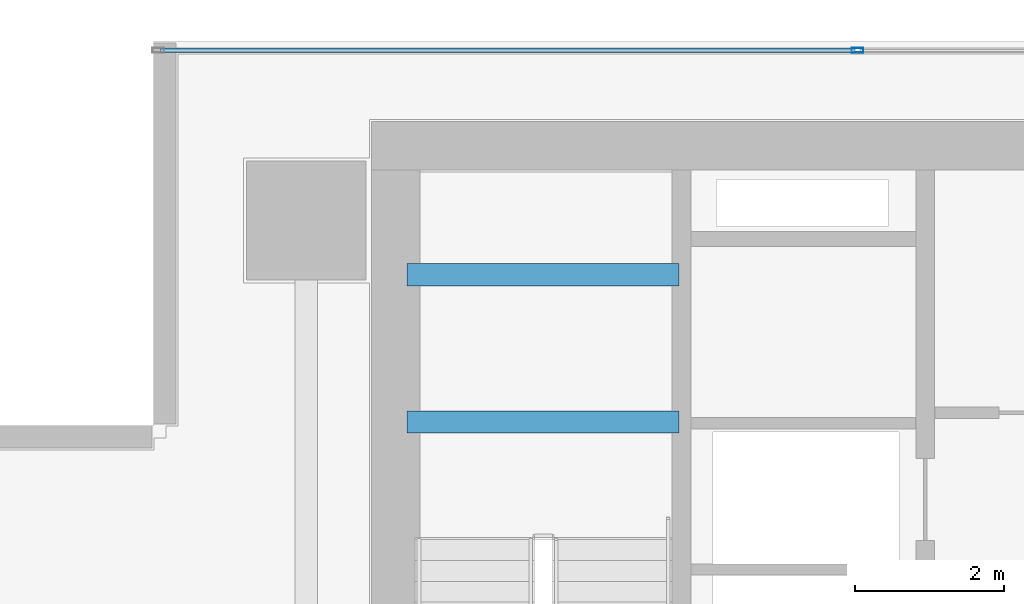
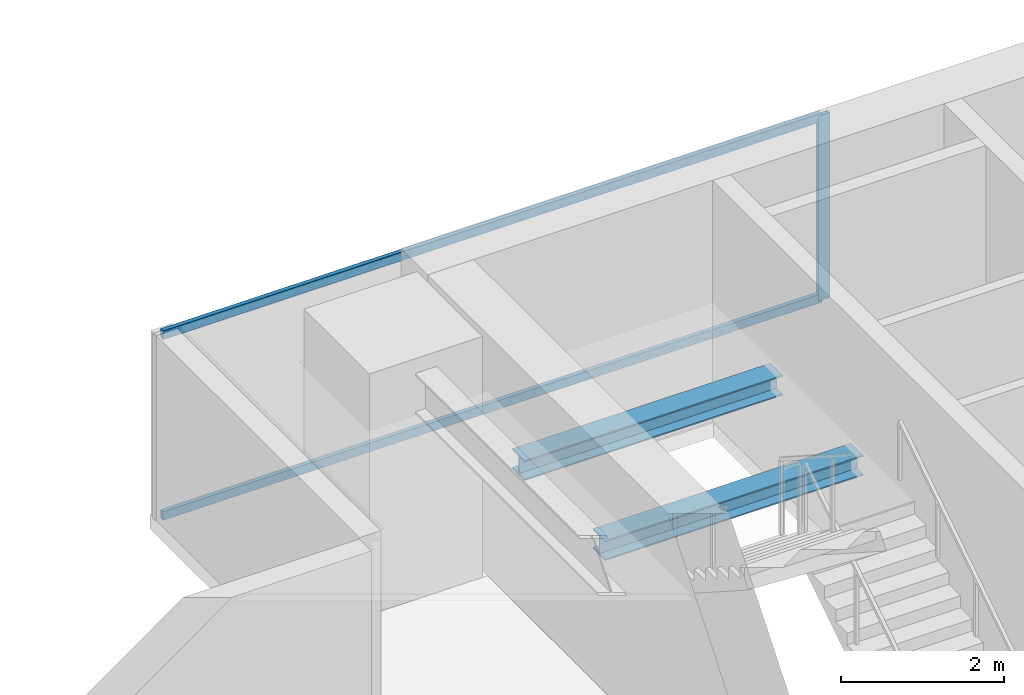
# One storey, part 15 of 27: 3 members, 2 beams, 1 element without a shape of its own.
"""IFC4 building model written with IfcOpenShell, lengths in metres."""

import ifcopenshell
import ifcopenshell.guid

model = None  # the IFC model being written
_history = None  # IfcOwnerHistory: only IFC2X3 demands one
_inside = {}  # id of a spatial element -> (the spatial element, [elements in it])
_under = {}  # id of a project, library or spatial element -> (it, [spatial elements below it])
_declared = {}  # id of a project -> (the project, [libraries it declares])
_typed = {}  # id of a type object -> (the type object, [elements of that type])
_made_of = {}  # id of a material, layer set ... -> (it, [elements and type objects made of it])


def new_model(schema):
    """Start an empty IFC model of exactly this schema.

    Asked for "IFC4X3", IfcOpenShell would pick the latest addendum, in which some entities
    have other attributes; the version numbers below select the first issue.
    IFC2X3 requires an IfcOwnerHistory on every rooted entity: one is made here for all.
    """
    global model, _history
    if schema == "IFC4X3":
        model = ifcopenshell.file(schema_version=(4, 3, 0, 0))
    else:
        model = ifcopenshell.file(schema=schema)
    _inside.clear()
    _under.clear()
    _declared.clear()
    _typed.clear()
    _made_of.clear()
    _history = None
    if model.schema == "IFC2X3":
        org = make("IfcOrganization", Name="unknown")
        user = make(
            "IfcPersonAndOrganization",
            ThePerson=make("IfcPerson", FamilyName="unknown"),
            TheOrganization=org,
        )
        app = make(
            "IfcApplication",
            ApplicationDeveloper=org,
            Version="unknown",
            ApplicationFullName="unknown",
            ApplicationIdentifier="unknown",
        )
        _history = make(
            "IfcOwnerHistory",
            OwningUser=user,
            OwningApplication=app,
            ChangeAction="ADDED",
            CreationDate=0,
        )
    return model


def make(cls, **values):
    """One entity of the class cls with the attributes given. An attribute that is None is left unset."""
    return model.create_entity(
        cls, **{name: value for name, value in values.items() if value is not None}
    )


def rooted(cls, **values):
    """An entity with a GlobalId (a new one), such as an element, a storey or a relation."""
    return make(cls, GlobalId=ifcopenshell.guid.new(), OwnerHistory=_history, **values)


def si_unit(unit_type, name, prefix=None):
    """IfcSIUnit, for example si_unit("LENGTHUNIT", "METRE", prefix="MILLI")."""
    return make("IfcSIUnit", UnitType=unit_type, Prefix=prefix, Name=name)


def assignment(units):
    """IfcUnitAssignment: the units of a project."""
    return None if units is None else make("IfcUnitAssignment", Units=units)


def point(xyz):
    """IfcCartesianPoint."""
    return None if xyz is None else make("IfcCartesianPoint", Coordinates=xyz)


def direction(xyz):
    """IfcDirection."""
    return None if xyz is None else make("IfcDirection", DirectionRatios=xyz)


def frame(location, z_axis=None, x_axis=None):
    """IfcAxis2Placement3D, a coordinate frame: its origin and axes. An axis left out is left unset."""
    return make(
        "IfcAxis2Placement3D",
        Location=point(location),
        Axis=direction(z_axis),
        RefDirection=direction(x_axis),
    )


def frame_2d(location, x_axis=None):
    """IfcAxis2Placement2D, a coordinate frame in the plane: its origin and x axis."""
    return make(
        "IfcAxis2Placement2D", Location=point(location), RefDirection=direction(x_axis)
    )


def origin():
    """The frame at (0, 0, 0) with its axes left unset."""
    return frame((0.0, 0.0, 0.0))


def origin_2d():
    """The frame at (0, 0) in the plane with its x axis left unset."""
    return frame_2d((0.0, 0.0))


def place(relative_to, where):
    """IfcLocalPlacement: puts the frame where relative to a parent placement (None: the world)."""
    return make(
        "IfcLocalPlacement", PlacementRelTo=relative_to, RelativePlacement=where
    )


def context(
    kind, dimensions, precision=None, world=None, true_north=None, identifier=None
):
    """IfcGeometricRepresentationContext, for example the 3D "Model" context."""
    return make(
        "IfcGeometricRepresentationContext",
        ContextIdentifier=identifier,
        ContextType=kind,
        CoordinateSpaceDimension=dimensions,
        Precision=precision,
        WorldCoordinateSystem=world,
        TrueNorth=true_north,
    )


def subcontext(parent, identifier, kind, view, scale=None):
    """IfcGeometricRepresentationSubContext, for example "Body" below "Model"."""
    return make(
        "IfcGeometricRepresentationSubContext",
        ContextIdentifier=identifier,
        ContextType=kind,
        ParentContext=parent,
        TargetScale=scale,
        TargetView=view,
    )


def project(units=None, contexts=None):
    """IfcProject with its units and contexts."""
    return rooted(
        "IfcProject",
        Name="project",
        RepresentationContexts=contexts,
        UnitsInContext=assignment(units),
    )


def spatial(cls, under=None, at=None, **own):
    """A site, building, storey or space (cls), placed at a placement, below another one or the project."""
    s = rooted(cls, ObjectPlacement=at, **own)
    if under is not None:
        _under.setdefault(under.id(), (under, []))[1].append(s)
    return s


def profile(cls, at=None, kind="AREA", **sizes):
    """A parametric profile (cls). Its sizes go by their IFC names, for example OverallWidth=200.0."""
    return make(cls, ProfileType=kind, Position=at, **sizes)


def hollow_rectangle(**sizes):
    """IfcRectangleHollowProfileDef."""
    return profile("IfcRectangleHollowProfileDef", **sizes)


def i_section(**sizes):
    """IfcIShapeProfileDef."""
    return profile("IfcIShapeProfileDef", **sizes)


def extrude(swept, where, along, depth):
    """IfcExtrudedAreaSolid: the profile swept, set in the frame where, extruded along a direction by depth."""
    return make(
        "IfcExtrudedAreaSolid",
        SweptArea=swept,
        Position=where,
        ExtrudedDirection=direction(along),
        Depth=depth,
    )


def shape(context_of_items, identifier, shape_type, items):
    """IfcShapeRepresentation: the items that make up one representation, for example the "Body"."""
    return make(
        "IfcShapeRepresentation",
        ContextOfItems=context_of_items,
        RepresentationIdentifier=identifier,
        RepresentationType=shape_type,
        Items=items,
    )


def source(mapping_origin, context_of_items, identifier, shape_type, items):
    """IfcRepresentationMap: a shape defined once, which mapped items show again and again."""
    return make(
        "IfcRepresentationMap",
        MappingOrigin=mapping_origin,
        MappedRepresentation=shape(context_of_items, identifier, shape_type, items),
    )


def transform(
    local_origin,
    x_axis=None,
    y_axis=None,
    z_axis=None,
    scale=None,
    scale2=None,
    scale3=None,
    uniform=True,
):
    """IfcCartesianTransformationOperator3D, or its non-uniform kind. x_axis, y_axis, z_axis: its Axis1, 2, 3."""
    if uniform:
        return make(
            "IfcCartesianTransformationOperator3D",
            Axis1=direction(x_axis),
            Axis2=direction(y_axis),
            LocalOrigin=point(local_origin),
            Scale=scale,
            Axis3=direction(z_axis),
        )
    return make(
        "IfcCartesianTransformationOperator3DnonUniform",
        Axis1=direction(x_axis),
        Axis2=direction(y_axis),
        LocalOrigin=point(local_origin),
        Scale=scale,
        Axis3=direction(z_axis),
        Scale2=scale2,
        Scale3=scale3,
    )


def mapped(mapping_source, mapping_target):
    """IfcMappedItem: shows the shape of a source again, moved by a transform."""
    return make(
        "IfcMappedItem", MappingSource=mapping_source, MappingTarget=mapping_target
    )


def material(Name=None, Category=None):
    """IfcMaterial."""
    return make("IfcMaterial", Name=Name, Category=Category)


def layer(
    of_material, thickness, ventilated=None, Name=None, Category=None, Priority=None
):
    """IfcMaterialLayer: one layer of a wall or slab, of a material (None: an air gap)."""
    return make(
        "IfcMaterialLayer",
        Material=of_material,
        LayerThickness=thickness,
        IsVentilated=ventilated,
        Name=Name,
        Category=Category,
        Priority=Priority,
    )


def layer_set(layers, Name=None):
    """IfcMaterialLayerSet."""
    return make("IfcMaterialLayerSet", MaterialLayers=layers, LayerSetName=Name)


def material_profile(
    of_material, cross_section, Name=None, Category=None, Priority=None
):
    """IfcMaterialProfile: a cross section and its material."""
    return make(
        "IfcMaterialProfile",
        Name=Name,
        Material=of_material,
        Profile=cross_section,
        Priority=Priority,
        Category=Category,
    )


def profile_set(profiles, Name=None, composite=None):
    """IfcMaterialProfileSet."""
    return make(
        "IfcMaterialProfileSet",
        Name=Name,
        MaterialProfiles=profiles,
        CompositeProfile=composite,
    )


def made_of(thing, what):
    """Note that an element or type object is made of a material, layer set ...; save() writes the relation."""
    if what is not None:
        _made_of.setdefault(what.id(), (what, []))[1].append(thing)
    return thing


def type_object(cls, material=None, **own):
    """A type object (cls), such as IfcWallType, which elements share."""
    return made_of(rooted(cls, **own), material)


def element(
    cls,
    number,
    at=None,
    inside=None,
    cuts=None,
    type_object=None,
    material=None,
    context=None,
    identifier="Body",
    shape_type=None,
    held_by="IfcProductDefinitionShape",
    body=None,
    shapes=None,
    **own,
):
    """One element of the class cls, such as IfcWall. Its Tag is "e" and its number.

    at: its placement. inside: the storey or other place that contains it. cuts: it is an
    opening in that element (IfcRelVoidsElement). A single representation is given by context,
    identifier, shape_type and body (its items); several are given by shapes. held_by: the class
    of the entity that holds the representations. save() writes the other relations.
    """
    e = rooted(cls, Tag="e%d" % number, ObjectPlacement=at, **own)
    if body is not None:
        shapes = [shape(context, identifier, shape_type, body)]
    if shapes is not None:
        e.Representation = make(held_by, Representations=shapes)
    if inside is not None:
        _inside.setdefault(inside.id(), (inside, []))[1].append(e)
    if cuts is not None:
        rooted(
            "IfcRelVoidsElement", RelatingBuildingElement=cuts, RelatedOpeningElement=e
        )
    if type_object is not None:
        _typed.setdefault(type_object.id(), (type_object, []))[1].append(e)
    return made_of(e, material)


def aggregate(whole, parts):
    """IfcRelAggregates: a whole, such as a stair, and the parts it consists of."""
    return rooted("IfcRelAggregates", RelatingObject=whole, RelatedObjects=parts)


def save(model, path):
    """Write the relations noted so far, then the file.

    IfcRelAggregates (storeys below a building ...), IfcRelContainedInSpatialStructure (elements
    in a storey), IfcRelDefinesByType, IfcRelAssociatesMaterial and IfcRelDeclares: one each for
    every whole, place, type object, material and project.
    """
    for whole, parts in _under.values():
        aggregate(whole, parts)
    for where, things in _inside.values():
        rooted(
            "IfcRelContainedInSpatialStructure",
            RelatedElements=things,
            RelatingStructure=where,
        )
    for kind, things in _typed.values():
        rooted("IfcRelDefinesByType", RelatedObjects=things, RelatingType=kind)
    for what, things in _made_of.values():
        rooted("IfcRelAssociatesMaterial", RelatedObjects=things, RelatingMaterial=what)
    for by, libraries in _declared.values():
        rooted("IfcRelDeclares", RelatingContext=by, RelatedDefinitions=libraries)
    model.write(path)


model = new_model("IFC4")

# Units and contexts
model_context = context("Model", 3, precision=1e-05, world=origin(), true_north=direction((0.0, 1.0)))
body_context = subcontext(model_context, "Body", "Model", "MODEL_VIEW")
ifc_project = project(units=[si_unit("LENGTHUNIT", "METRE"), si_unit("AREAUNIT", "SQUARE_METRE"), si_unit("VOLUMEUNIT", "CUBIC_METRE"), si_unit("PLANEANGLEUNIT", "RADIAN"), si_unit("MASSUNIT", "GRAM", prefix="KILO")], contexts=[model_context])

# Site, building, storey
site_placement = place(None, origin())
site = spatial("IfcSite", under=ifc_project, at=site_placement, CompositionType="ELEMENT")
building_placement = place(site_placement, origin())
building = spatial("IfcBuilding", under=site, at=building_placement, Name="Sumidabori Civic Tower", CompositionType="ELEMENT")
storey_placement = place(building_placement, frame((0.0, 0.0, 142.39990234375)))
storey = spatial("IfcBuildingStorey", under=building, at=storey_placement, Name="L36", CompositionType="ELEMENT", Elevation=142.39990234375)

# Beams
ifc_material_1 = material(Name="Steel SN490", Category="steel")
ifc_material_profile_1 = material_profile(ifc_material_1, i_section(OverallWidth=0.300048828125, OverallDepth=0.300048828125, WebThickness=0.010986328125, FlangeThickness=0.01904296875, at=origin_2d()), Name="HE 300 B")
ifc_profile_set_1 = profile_set([ifc_material_profile_1], Name="Steel SN490")
beam_type = type_object("IfcBeamType", Name="BM-LDG-300", PredefinedType="BEAM", material=ifc_profile_set_1)
shared_shape_1 = source(origin(), body_context, "Body", "SweptSolid", [
    extrude(i_section(OverallWidth=0.300048828125, OverallDepth=0.300048828125, WebThickness=0.010986328125, FlangeThickness=0.01904296875, at=origin_2d()), origin(), (0.0, 0.0, 1.0), 3.64990234375),
])
for number, where, z_axis, x_axis, name in (
    (1, (-15.449951171875, 20.09765625, 1.4501953125), (1.0, 0.0, 0.0), (0.0, 1.0, 0.0), "Stair ST-1 Landing Support Beam L36-1A"),
    (2, (-15.449951171875, 22.069580078125, 1.4501953125), (1.0, 0.0, 0.0), (0.0, 1.0, 0.0), "Stair ST-1 Landing Trimmer Beam L36-1B"),
):
    element("IfcBeam", number, at=place(storey_placement, frame(where, z_axis=z_axis, x_axis=x_axis)), inside=storey, type_object=beam_type, Name=name, PredefinedType="BEAM", context=body_context, shape_type="MappedRepresentation", body=[
        mapped(shared_shape_1, transform((0.0, 0.0, 0.0), x_axis=(1.0, 0.0, 0.0), y_axis=(0.0, 1.0, 0.0), z_axis=(0.0, 0.0, 1.0), scale=1.0)),
    ])

# Curtain wall, members
ifc_material_2 = material(Name="Anodised Bronze Aluminium AW-6063-T6", Category="aluminium")
ifc_layer = layer(ifc_material_2, 0.179931640625, Name="Anodised Bronze Aluminium AW-6063-T6")
ifc_layer_set = layer_set([ifc_layer], Name="Anodised Bronze Aluminium AW-6063-T6")
curtain_wall_type = type_object("IfcCurtainWallType", Name="CW-SYS-3", PredefinedType="NOTDEFINED", material=ifc_layer_set)
curtain_wall_placement = place(storey_placement, origin())
curtain_wall = element("IfcCurtainWall", 3, at=curtain_wall_placement, inside=storey, type_object=curtain_wall_type, Name="Curtain Wall CW:L36:R07", PredefinedType="NOTDEFINED")
ifc_material_profile_2 = material_profile(ifc_material_2, hollow_rectangle(XDim=0.06494140625, YDim=0.159912109375, WallThickness=0.0048828125, at=origin_2d()), Name="ALU MULLION 160x65")
ifc_profile_set_2 = profile_set([ifc_material_profile_2], Name="Anodised Bronze Aluminium AW-6063-T6")
member_type_1 = type_object("IfcMemberType", Name="CW-MUL-160", PredefinedType="MULLION", material=ifc_profile_set_2)
shared_shape_2 = source(origin(), body_context, "Body", "SweptSolid", [
    extrude(hollow_rectangle(XDim=0.06494140625, YDim=0.159912109375, WallThickness=0.0048828125, at=origin_2d()), origin(), (0.0, 0.0, 1.0), 2.760009765625),
])
member_1_placement = place(storey_placement, frame((-9.409912109375, 25.080078125, 0.0), z_axis=(0.0, 0.0, 1.0), x_axis=(0.0, -1.0, 0.0)))
member_1 = element("IfcMember", 4, at=member_1_placement, type_object=member_type_1, Name="CW-3 mullion 4", PredefinedType="MULLION", context=body_context, shape_type="MappedRepresentation", body=[
    mapped(shared_shape_2, transform((0.0, 0.0, 0.0), x_axis=(1.0, 0.0, 0.0), y_axis=(0.0, 1.0, 0.0), z_axis=(0.0, 0.0, 1.0), scale=1.0)),
])
ifc_material_profile_3 = material_profile(ifc_material_2, hollow_rectangle(XDim=0.06005859375, YDim=0.1298828125, WallThickness=0.0048828125, at=origin_2d()), Name="ALU TRANSOM 130x60")
ifc_profile_set_3 = profile_set([ifc_material_profile_3], Name="Anodised Bronze Aluminium AW-6063-T6")
member_type_2 = type_object("IfcMemberType", Name="CW-TRN-130", PredefinedType="USERDEFINED", material=ifc_profile_set_3)
shared_shape_3 = source(origin(), body_context, "Body", "SweptSolid", [
    extrude(hollow_rectangle(XDim=0.06005859375, YDim=0.1298828125, WallThickness=0.0048828125, at=origin_2d()), origin(), (0.0, 0.0, 1.0), 9.3125),
])
member_2_placement = place(storey_placement, frame((-9.4423828125, 25.080078125, 0.030029296875), z_axis=(-1.0, 0.0, 0.0), x_axis=(0.0, -1.0, 0.0)))
member_2 = element("IfcMember", 5, at=member_2_placement, type_object=member_type_2, Name="CW-3 transom 4.1", ObjectType="TRANSOM", PredefinedType="USERDEFINED", context=body_context, shape_type="MappedRepresentation", body=[
    mapped(shared_shape_3, transform((0.0, 0.0, 0.0), x_axis=(1.0, 0.0, 0.0), y_axis=(0.0, 1.0, 0.0), z_axis=(0.0, 0.0, 1.0), scale=1.0)),
])
member_3_placement = place(storey_placement, frame((-9.4423828125, 25.080078125, 2.72998046875), z_axis=(-1.0, 0.0, 0.0), x_axis=(0.0, -1.0, 0.0)))
member_3 = element("IfcMember", 6, at=member_3_placement, type_object=member_type_2, Name="CW-3 transom 4.2", ObjectType="TRANSOM", PredefinedType="USERDEFINED", context=body_context, shape_type="MappedRepresentation", body=[
    mapped(shared_shape_3, transform((0.0, 0.0, 0.0), x_axis=(1.0, 0.0, 0.0), y_axis=(0.0, 1.0, 0.0), z_axis=(0.0, 0.0, 1.0), scale=1.0)),
])
aggregate(curtain_wall, [member_1, member_2, member_3])

save(model, "model.ifc")
